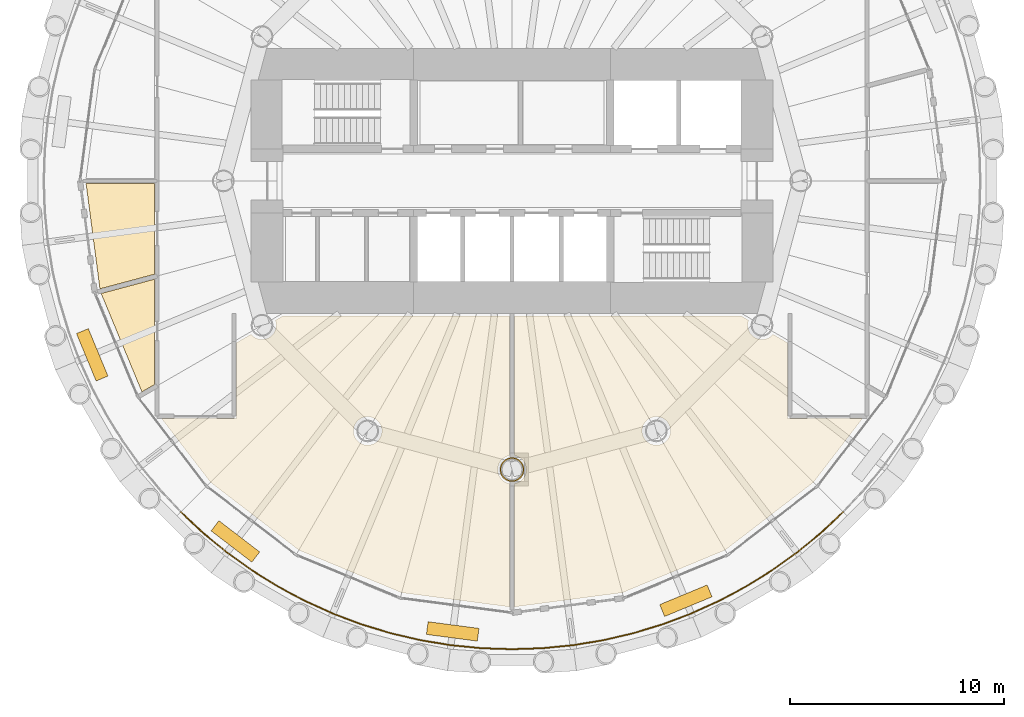
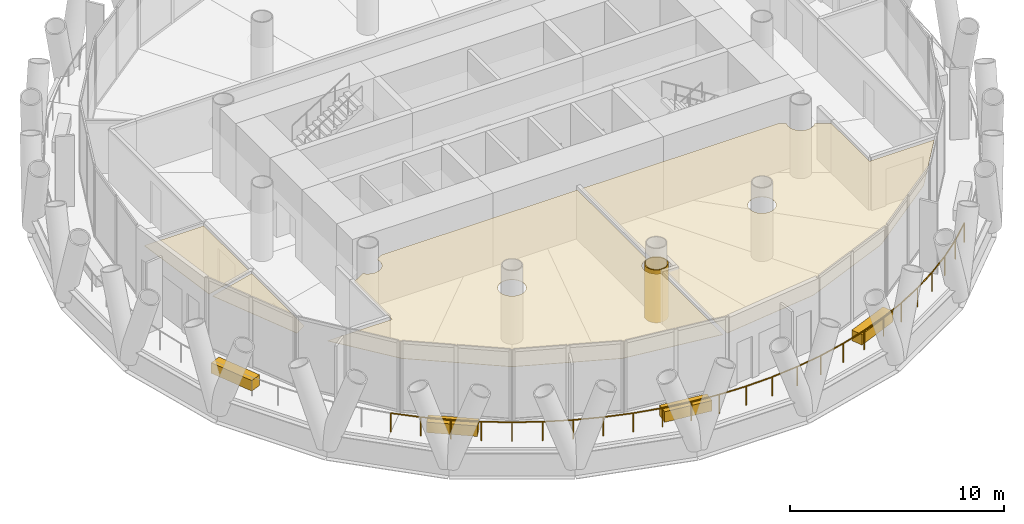
# One storey, part 11 of 13: 9 coverings, 1 railing.
"""IFC4 building model written with IfcOpenShell, lengths in metres."""

from ifc_helpers import new_model, si_unit, direction, frame, origin, origin_2d, place, context, subcontext, project, spatial, polyline, rectangle, circle, outline, extrude, material, layer, layer_set, type_object, element, save


model = new_model("IFC4")

# Units and contexts
model_context = context("Model", 3, precision=1e-05, world=origin(), true_north=direction((0.0, 1.0)))
body_context = subcontext(model_context, "Body", "Model", "MODEL_VIEW")
ifc_project = project(units=[si_unit("LENGTHUNIT", "METRE"), si_unit("AREAUNIT", "SQUARE_METRE"), si_unit("VOLUMEUNIT", "CUBIC_METRE"), si_unit("PLANEANGLEUNIT", "RADIAN"), si_unit("MASSUNIT", "GRAM", prefix="KILO")], contexts=[model_context])

# Site, building, storey
site_placement = place(None, origin())
site = spatial("IfcSite", under=ifc_project, at=site_placement, CompositionType="ELEMENT")
building_placement = place(site_placement, origin())
building = spatial("IfcBuilding", under=site, at=building_placement, Name="Qaws Media Tower", CompositionType="ELEMENT")
storey_placement = place(building_placement, frame((0.0, 0.0, 219.199951171875)))
storey = spatial("IfcBuildingStorey", under=building, at=storey_placement, Name="L50", CompositionType="ELEMENT", Elevation=219.199951171875)

# Railing
ifc_material_1 = material(Name="Stainless steel and glass guard", Category="steel")
railing_type = type_object("IfcRailingType", Name="Balcony guard 1100", PredefinedType="GUARDRAIL", material=ifc_material_1)
railing_placement = place(storey_placement, frame((44.514404296875, 34.514404296875, 0.0)))
element("IfcRailing", 1, at=railing_placement, inside=storey, type_object=railing_type, Name="GR1 balcony guard L50-3", PredefinedType="GUARDRAIL", context=body_context, shape_type="SweptSolid", body=[
    extrude(circle(Radius=0.02392578125, at=origin_2d()), frame((0.0, 0.0, 1.076171875), z_axis=(0.729813400742, -0.683646399901, 0.0), x_axis=(0.683646399901, 0.729813400742, 0.0)), (0.0, 0.0, 1.0), 1.43310546875),
    extrude(circle(Radius=0.02392578125, at=origin_2d()), frame((1.0458984375, -0.979736328125, 1.076171875), z_axis=(0.773030531197, -0.634368818462, 0.0), x_axis=(0.634368818462, 0.773030531197, 0.0)), (0.0, 0.0, 1.0), 1.43310546875),
    extrude(circle(Radius=0.02392578125, at=origin_2d()), frame((2.15380859375, -1.888916015625, 1.076171875), z_axis=(0.812834605048, -0.582494553482, 0.0), x_axis=(0.582494553482, 0.812834605048, 0.0)), (0.0, 0.0, 1.0), 1.43310546875),
    extrude(circle(Radius=0.02392578125, at=origin_2d()), frame((3.318603515625, -2.7236328125, 1.076171875), z_axis=(0.849192418693, -0.52808355024, 0.0), x_axis=(0.52808355024, 0.849192418693, 0.0)), (0.0, 0.0, 1.0), 1.43310546875),
    extrude(circle(Radius=0.02392578125, at=origin_2d()), frame((4.53564453125, -3.48046875, 1.076171875), z_axis=(0.881932889719, -0.471374986643, 0.0), x_axis=(0.471374986643, 0.881932889719, 0.0)), (0.0, 0.0, 1.0), 1.43310546875),
    extrude(circle(Radius=0.02392578125, at=origin_2d()), frame((5.799560546875, -4.156005859375, 1.076171875), z_axis=(0.910879266188, -0.412672948505, 0.0), x_axis=(0.412672948505, 0.910879266188, 0.0)), (0.0, 0.0, 1.0), 1.432861328125),
    extrude(circle(Radius=0.02392578125, at=origin_2d()), frame((7.104736328125, -4.747314453125, 1.076171875), z_axis=(0.935894423656, -0.352280609414, 0.0), x_axis=(0.352280609414, 0.935894423656, 0.0)), (0.0, 0.0, 1.0), 1.43310546875),
    extrude(circle(Radius=0.02392578125, at=origin_2d()), frame((8.446044921875, -5.252197265625, 1.076171875), z_axis=(0.956935523719, -0.290300539864, 0.0), x_axis=(0.290300539864, 0.956935523719, 0.0)), (0.0, 0.0, 1.0), 1.43310546875),
    extrude(circle(Radius=0.02392578125, at=origin_2d()), frame((9.8173828125, -5.668212890625, 1.076171875), z_axis=(0.973877636185, -0.227073445694, 0.0), x_axis=(0.227073445694, 0.973877636185, 0.0)), (0.0, 0.0, 1.0), 1.43310546875),
    extrude(circle(Radius=0.02392578125, at=origin_2d()), frame((11.213134765625, -5.99365234375, 1.076171875), z_axis=(0.986646014625, -0.162879224656, 0.0), x_axis=(0.162879224656, 0.986646014625, 0.0)), (0.0, 0.0, 1.0), 1.432861328125),
    extrude(circle(Radius=0.02392578125, at=origin_2d()), frame((12.626953125, -6.22705078125, 1.076171875), z_axis=(0.995191151601, -0.097951885, 0.0), x_axis=(0.097951885, 0.995191151601, 0.0)), (0.0, 0.0, 1.0), 1.43310546875),
    extrude(circle(Radius=0.02392578125, at=origin_2d()), frame((14.05322265625, -6.367431640625, 1.076171875), z_axis=(0.99946495338, -0.032707903707, 0.0), x_axis=(0.032707903707, 0.99946495338, 0.0)), (0.0, 0.0, 1.0), 1.43310546875),
    extrude(circle(Radius=0.02392578125, at=origin_2d()), frame((15.485595703125, -6.414306640625, 1.076171875), z_axis=(0.99946495338, 0.032707903707, 0.0), x_axis=(-0.032707903707, 0.99946495338, 0.0)), (0.0, 0.0, 1.0), 1.43310546875),
    extrude(circle(Radius=0.02392578125, at=origin_2d()), frame((16.91796875, -6.367431640625, 1.076171875), z_axis=(0.995191151601, 0.097951885, 0.0), x_axis=(-0.097951885, 0.995191151601, 0.0)), (0.0, 0.0, 1.0), 1.43310546875),
    extrude(circle(Radius=0.02392578125, at=origin_2d()), frame((18.34423828125, -6.22705078125, 1.076171875), z_axis=(0.986646014625, 0.162879224656, 0.0), x_axis=(-0.162879224656, 0.986646014625, 0.0)), (0.0, 0.0, 1.0), 1.432861328125),
    extrude(circle(Radius=0.02392578125, at=origin_2d()), frame((19.758056640625, -5.99365234375, 1.076171875), z_axis=(0.973877636185, 0.227073445694, 0.0), x_axis=(-0.227073445694, 0.973877636185, 0.0)), (0.0, 0.0, 1.0), 1.43310546875),
    extrude(circle(Radius=0.02392578125, at=origin_2d()), frame((21.15380859375, -5.668212890625, 1.076171875), z_axis=(0.956935523719, 0.290300539864, 0.0), x_axis=(-0.290300539864, 0.956935523719, 0.0)), (0.0, 0.0, 1.0), 1.43310546875),
    extrude(circle(Radius=0.02392578125, at=origin_2d()), frame((22.525146484375, -5.252197265625, 1.076171875), z_axis=(0.935894423656, 0.352280609414, 0.0), x_axis=(-0.352280609414, 0.935894423656, 0.0)), (0.0, 0.0, 1.0), 1.43310546875),
    extrude(circle(Radius=0.02392578125, at=origin_2d()), frame((23.866455078125, -4.747314453125, 1.076171875), z_axis=(0.910879266188, 0.412672948505, 0.0), x_axis=(-0.412672948505, 0.910879266188, 0.0)), (0.0, 0.0, 1.0), 1.432861328125),
    extrude(circle(Radius=0.02392578125, at=origin_2d()), frame((25.171630859375, -4.156005859375, 1.076171875), z_axis=(0.881932889719, 0.471374986643, 0.0), x_axis=(-0.471374986643, 0.881932889719, 0.0)), (0.0, 0.0, 1.0), 1.43310546875),
    extrude(circle(Radius=0.02392578125, at=origin_2d()), frame((26.435546875, -3.48046875, 1.076171875), z_axis=(0.849192418693, 0.52808355024, 0.0), x_axis=(-0.52808355024, 0.849192418693, 0.0)), (0.0, 0.0, 1.0), 1.43310546875),
    extrude(circle(Radius=0.02392578125, at=origin_2d()), frame((27.652587890625, -2.7236328125, 1.076171875), z_axis=(0.812834605048, 0.582494553482, 0.0), x_axis=(-0.582494553482, 0.812834605048, 0.0)), (0.0, 0.0, 1.0), 1.43310546875),
    extrude(circle(Radius=0.02392578125, at=origin_2d()), frame((28.8173828125, -1.888916015625, 1.076171875), z_axis=(0.773030531197, 0.634368818462, 0.0), x_axis=(-0.634368818462, 0.773030531197, 0.0)), (0.0, 0.0, 1.0), 1.43310546875),
    extrude(circle(Radius=0.02392578125, at=origin_2d()), frame((29.92529296875, -0.979736328125, 1.076171875), z_axis=(0.729813400742, 0.683646399901, 0.0), x_axis=(-0.683646399901, 0.729813400742, 0.0)), (0.0, 0.0, 1.0), 1.43310546875),
    extrude(circle(Radius=0.02099609375, at=origin_2d()), origin(), (0.0, 0.0, 1.0), 1.052001953125),
    extrude(circle(Radius=0.02099609375, at=origin_2d()), frame((1.0458984375, -0.979736328125, 0.0)), (0.0, 0.0, 1.0), 1.052001953125),
    extrude(circle(Radius=0.02099609375, at=origin_2d()), frame((2.15380859375, -1.888916015625, 0.0)), (0.0, 0.0, 1.0), 1.052001953125),
    extrude(circle(Radius=0.02099609375, at=origin_2d()), frame((3.318603515625, -2.7236328125, 0.0)), (0.0, 0.0, 1.0), 1.052001953125),
    extrude(circle(Radius=0.02099609375, at=origin_2d()), frame((4.53564453125, -3.48046875, 0.0)), (0.0, 0.0, 1.0), 1.052001953125),
    extrude(circle(Radius=0.02099609375, at=origin_2d()), frame((5.799560546875, -4.156005859375, 0.0)), (0.0, 0.0, 1.0), 1.052001953125),
    extrude(circle(Radius=0.02099609375, at=origin_2d()), frame((7.104736328125, -4.747314453125, 0.0)), (0.0, 0.0, 1.0), 1.052001953125),
    extrude(circle(Radius=0.02099609375, at=origin_2d()), frame((8.446044921875, -5.252197265625, 0.0)), (0.0, 0.0, 1.0), 1.052001953125),
    extrude(circle(Radius=0.02099609375, at=origin_2d()), frame((9.8173828125, -5.668212890625, 0.0)), (0.0, 0.0, 1.0), 1.052001953125),
    extrude(circle(Radius=0.02099609375, at=origin_2d()), frame((11.213134765625, -5.99365234375, 0.0)), (0.0, 0.0, 1.0), 1.052001953125),
    extrude(circle(Radius=0.02099609375, at=origin_2d()), frame((12.626953125, -6.22705078125, 0.0)), (0.0, 0.0, 1.0), 1.052001953125),
    extrude(circle(Radius=0.02099609375, at=origin_2d()), frame((14.05322265625, -6.367431640625, 0.0)), (0.0, 0.0, 1.0), 1.052001953125),
    extrude(circle(Radius=0.02099609375, at=origin_2d()), frame((15.485595703125, -6.414306640625, 0.0)), (0.0, 0.0, 1.0), 1.052001953125),
    extrude(circle(Radius=0.02099609375, at=origin_2d()), frame((16.91796875, -6.367431640625, 0.0)), (0.0, 0.0, 1.0), 1.052001953125),
    extrude(circle(Radius=0.02099609375, at=origin_2d()), frame((18.34423828125, -6.22705078125, 0.0)), (0.0, 0.0, 1.0), 1.052001953125),
    extrude(circle(Radius=0.02099609375, at=origin_2d()), frame((19.758056640625, -5.99365234375, 0.0)), (0.0, 0.0, 1.0), 1.052001953125),
    extrude(circle(Radius=0.02099609375, at=origin_2d()), frame((21.15380859375, -5.668212890625, 0.0)), (0.0, 0.0, 1.0), 1.052001953125),
    extrude(circle(Radius=0.02099609375, at=origin_2d()), frame((22.525146484375, -5.252197265625, 0.0)), (0.0, 0.0, 1.0), 1.052001953125),
    extrude(circle(Radius=0.02099609375, at=origin_2d()), frame((23.866455078125, -4.747314453125, 0.0)), (0.0, 0.0, 1.0), 1.052001953125),
    extrude(circle(Radius=0.02099609375, at=origin_2d()), frame((25.171630859375, -4.156005859375, 0.0)), (0.0, 0.0, 1.0), 1.052001953125),
    extrude(circle(Radius=0.02099609375, at=origin_2d()), frame((26.435546875, -3.48046875, 0.0)), (0.0, 0.0, 1.0), 1.052001953125),
    extrude(circle(Radius=0.02099609375, at=origin_2d()), frame((27.652587890625, -2.7236328125, 0.0)), (0.0, 0.0, 1.0), 1.052001953125),
    extrude(circle(Radius=0.02099609375, at=origin_2d()), frame((28.8173828125, -1.888916015625, 0.0)), (0.0, 0.0, 1.0), 1.052001953125),
    extrude(circle(Radius=0.02099609375, at=origin_2d()), frame((29.92529296875, -0.979736328125, 0.0)), (0.0, 0.0, 1.0), 1.052001953125),
    extrude(circle(Radius=0.02099609375, at=origin_2d()), frame((30.97119140625, 0.0, 0.0)), (0.0, 0.0, 1.0), 1.052001953125),
])

# Coverings
ifc_material_2 = material(Name="Two layers 15 fire-rated gypsum board on steel framing", Category="steel")
ifc_layer_1 = layer(ifc_material_2, 0.050048828125)
ifc_layer_set_1 = layer_set([ifc_layer_1], Name="Column fire casing")
covering_type_1 = type_object("IfcCoveringType", Name="Column fire casing", PredefinedType="CLADDING", material=ifc_layer_set_1)
covering_1_placement = place(storey_placement, origin())
element("IfcCovering", 2, at=covering_1_placement, inside=storey, type_object=covering_type_1, Name="CC1 column casing L50", PredefinedType="CLADDING", context=body_context, shape_type="SweptSolid", body=[
    extrude(outline(polyline([(60.56298828125, 36.5), (60.55810546875, 36.426513671875), (60.543701171875, 36.354248046875), (60.52001953125, 36.284423828125), (60.487548828125, 36.218505859375), (60.44677734375, 36.1572265625), (60.398193359375, 36.101806640625), (60.3427734375, 36.05322265625), (60.281494140625, 36.012451171875), (60.215576171875, 35.97998046875), (60.145751953125, 35.956298828125), (60.073486328125, 35.94189453125), (60.0, 35.93701171875), (59.926513671875, 35.94189453125), (59.854248046875, 35.956298828125), (59.784423828125, 35.97998046875), (59.718505859375, 36.012451171875), (59.6572265625, 36.05322265625), (59.601806640625, 36.101806640625), (59.55322265625, 36.1572265625), (59.512451171875, 36.218505859375), (59.47998046875, 36.284423828125), (59.456298828125, 36.354248046875), (59.44189453125, 36.426513671875), (59.43701171875, 36.5), (59.44189453125, 36.573486328125), (59.456298828125, 36.645751953125), (59.47998046875, 36.715576171875), (59.512451171875, 36.781494140625), (59.55322265625, 36.8427734375), (59.601806640625, 36.898193359375), (59.6572265625, 36.94677734375), (59.718505859375, 36.987548828125), (59.784423828125, 37.02001953125), (59.854248046875, 37.043701171875), (59.926513671875, 37.05810546875), (60.0, 37.06298828125), (60.073486328125, 37.05810546875), (60.145751953125, 37.043701171875), (60.215576171875, 37.02001953125), (60.281494140625, 36.987548828125), (60.3427734375, 36.94677734375), (60.398193359375, 36.898193359375), (60.44677734375, 36.8427734375), (60.487548828125, 36.781494140625), (60.52001953125, 36.715576171875), (60.543701171875, 36.645751953125), (60.55810546875, 36.573486328125), (60.56298828125, 36.5)]), holes=[polyline([(60.510986328125, 36.5), (60.506591796875, 36.433349609375), (60.49365234375, 36.36767578125), (60.47216796875, 36.304443359375), (60.4423828125, 36.244384765625), (60.405517578125, 36.18896484375), (60.361328125, 36.138671875), (60.31103515625, 36.094482421875), (60.255615234375, 36.0576171875), (60.195556640625, 36.02783203125), (60.13232421875, 36.00634765625), (60.066650390625, 35.993408203125), (60.0, 35.989013671875), (59.933349609375, 35.993408203125), (59.86767578125, 36.00634765625), (59.804443359375, 36.02783203125), (59.744384765625, 36.0576171875), (59.68896484375, 36.094482421875), (59.638671875, 36.138671875), (59.594482421875, 36.18896484375), (59.5576171875, 36.244384765625), (59.52783203125, 36.304443359375), (59.50634765625, 36.36767578125), (59.493408203125, 36.433349609375), (59.489013671875, 36.5), (59.493408203125, 36.566650390625), (59.50634765625, 36.63232421875), (59.52783203125, 36.695556640625), (59.5576171875, 36.755615234375), (59.594482421875, 36.81103515625), (59.638671875, 36.861328125), (59.68896484375, 36.905517578125), (59.744384765625, 36.9423828125), (59.804443359375, 36.97216796875), (59.86767578125, 36.99365234375), (59.933349609375, 37.006591796875), (60.0, 37.010986328125), (60.066650390625, 37.006591796875), (60.13232421875, 36.99365234375), (60.195556640625, 36.97216796875), (60.255615234375, 36.9423828125), (60.31103515625, 36.905517578125), (60.361328125, 36.861328125), (60.405517578125, 36.81103515625), (60.4423828125, 36.755615234375), (60.47216796875, 36.695556640625), (60.49365234375, 36.63232421875), (60.506591796875, 36.566650390625), (60.510986328125, 36.5)])]), origin(), (0.0, 0.0, 1.0), 3.011962890625),
])
ifc_material_3 = material(Name="600 x 600 mineral fibre tiles in exposed grid, suspended", Category="mineral fibre")
ifc_layer_2 = layer(ifc_material_3, 0.02001953125)
ifc_layer_set_2 = layer_set([ifc_layer_2], Name="Mineral fibre tile ceiling 20")
covering_type_2 = type_object("IfcCoveringType", Name="Mineral fibre tile ceiling 20", PredefinedType="CEILING", material=ifc_layer_set_2)
covering_2_placement = place(storey_placement, frame((0.0, 0.0, 2.85009765625)))
element("IfcCovering", 3, at=covering_2_placement, inside=storey, type_object=covering_type_2, Name="CL1 ceiling L50-06 Office", PredefinedType="CEILING", context=body_context, shape_type="SweptSolid", body=[
    extrude(outline(polyline([(40.78759765625, 44.735595703125), (43.28759765625, 45.405517578125), (43.28759765625, 40.48095703125), (42.692138671875, 40.13720703125), (40.78759765625, 44.735595703125)])), origin(), (0.0, 0.0, 1.0), 0.02001953125),
])
covering_3_placement = place(storey_placement, frame((0.0, 0.0, 2.85009765625)))
element("IfcCovering", 4, at=covering_3_placement, inside=storey, type_object=covering_type_2, Name="CL1 ceiling L50-07 Tenant office", PredefinedType="CEILING", context=body_context, shape_type="SweptSolid", body=[
    extrude(outline(polyline([(47.112548828125, 38.887451171875), (47.112548828125, 42.429443359375), (47.795654296875, 42.823974609375), (47.836181640625, 42.777587890625), (47.902099609375, 42.719970703125), (47.974609375, 42.67138671875), (48.052978515625, 42.6328125), (48.1357421875, 42.604736328125), (48.221435546875, 42.587646484375), (48.30859375, 42.58203125), (48.395751953125, 42.587646484375), (48.4814453125, 42.604736328125), (48.564208984375, 42.6328125), (48.642578125, 42.67138671875), (48.71533203125, 42.719970703125), (48.781005859375, 42.777587890625), (48.838623046875, 42.84326171875), (48.88720703125, 42.916015625), (48.92578125, 42.994384765625), (48.953857421875, 43.0771484375), (48.970947265625, 43.162841796875), (48.976806640625, 43.25), (48.970947265625, 43.337158203125), (48.953857421875, 43.4228515625), (48.93408203125, 43.481201171875), (49.29150390625, 43.6875), (59.887451171875, 43.6875), (59.887451171875, 37.1572265625), (59.8271484375, 37.145263671875), (59.744384765625, 37.1171875), (59.666015625, 37.07861328125), (59.59326171875, 37.030029296875), (59.527587890625, 36.972412109375), (59.469970703125, 36.90673828125), (59.42138671875, 36.833984375), (59.3828125, 36.755615234375), (59.354736328125, 36.6728515625), (59.337646484375, 36.587158203125), (59.33203125, 36.5), (59.337646484375, 36.412841796875), (59.354736328125, 36.3271484375), (59.3828125, 36.244384765625), (59.42138671875, 36.166015625), (59.469970703125, 36.09326171875), (59.527587890625, 36.027587890625), (59.59326171875, 35.969970703125), (59.666015625, 35.92138671875), (59.744384765625, 35.8828125), (59.8271484375, 35.854736328125), (59.887451171875, 35.8427734375), (59.887451171875, 30.07958984375), (54.84033203125, 30.743896484375), (50.032470703125, 32.735595703125), (45.90380859375, 35.90380859375), (43.614013671875, 38.887451171875), (47.112548828125, 38.887451171875)]), holes=[polyline([(53.895263671875, 38.1357421875), (53.912353515625, 38.221435546875), (53.91796875, 38.30859375), (53.912353515625, 38.395751953125), (53.895263671875, 38.4814453125), (53.8671875, 38.564208984375), (53.82861328125, 38.642578125), (53.780029296875, 38.71533203125), (53.722412109375, 38.781005859375), (53.65673828125, 38.838623046875), (53.583984375, 38.88720703125), (53.505615234375, 38.92578125), (53.4228515625, 38.953857421875), (53.337158203125, 38.970947265625), (53.25, 38.976806640625), (53.162841796875, 38.970947265625), (53.0771484375, 38.953857421875), (52.994384765625, 38.92578125), (52.916015625, 38.88720703125), (52.84326171875, 38.838623046875), (52.777587890625, 38.781005859375), (52.719970703125, 38.71533203125), (52.67138671875, 38.642578125), (52.6328125, 38.564208984375), (52.604736328125, 38.4814453125), (52.587646484375, 38.395751953125), (52.58203125, 38.30859375), (52.587646484375, 38.221435546875), (52.604736328125, 38.1357421875), (52.6328125, 38.052978515625), (52.67138671875, 37.974609375), (52.719970703125, 37.902099609375), (52.777587890625, 37.836181640625), (52.84326171875, 37.77880859375), (52.916015625, 37.730224609375), (52.994384765625, 37.69140625), (53.0771484375, 37.663330078125), (53.162841796875, 37.646484375), (53.25, 37.640625), (53.337158203125, 37.646484375), (53.4228515625, 37.663330078125), (53.505615234375, 37.69140625), (53.583984375, 37.730224609375), (53.65673828125, 37.77880859375), (53.722412109375, 37.836181640625), (53.780029296875, 37.902099609375), (53.82861328125, 37.974609375), (53.8671875, 38.052978515625), (53.895263671875, 38.1357421875)])]), origin(), (0.0, 0.0, 1.0), 0.02001953125),
])
covering_4_placement = place(storey_placement, frame((0.0, 0.0, 2.85009765625)))
element("IfcCovering", 5, at=covering_4_placement, inside=storey, type_object=covering_type_2, Name="CL1 ceiling L50-08 Tenant office", PredefinedType="CEILING", context=body_context, shape_type="SweptSolid", body=[
    extrude(outline(polyline([(72.887451171875, 38.887451171875), (76.385986328125, 38.887451171875), (74.09619140625, 35.90380859375), (69.967529296875, 32.735595703125), (65.15966796875, 30.743896484375), (60.112548828125, 30.07958984375), (60.112548828125, 35.8427734375), (60.1728515625, 35.854736328125), (60.255615234375, 35.8828125), (60.333984375, 35.92138671875), (60.40673828125, 35.969970703125), (60.472412109375, 36.027587890625), (60.530029296875, 36.09326171875), (60.57861328125, 36.166015625), (60.6171875, 36.244384765625), (60.645263671875, 36.3271484375), (60.662353515625, 36.412841796875), (60.66796875, 36.5), (60.662353515625, 36.587158203125), (60.645263671875, 36.6728515625), (60.6171875, 36.755615234375), (60.57861328125, 36.833984375), (60.530029296875, 36.90673828125), (60.472412109375, 36.972412109375), (60.40673828125, 37.030029296875), (60.333984375, 37.07861328125), (60.255615234375, 37.1171875), (60.1728515625, 37.145263671875), (60.112548828125, 37.1572265625), (60.112548828125, 43.6875), (70.70849609375, 43.6875), (71.06591796875, 43.481201171875), (71.046142578125, 43.4228515625), (71.029052734375, 43.337158203125), (71.023193359375, 43.25), (71.029052734375, 43.162841796875), (71.046142578125, 43.0771484375), (71.07421875, 42.994384765625), (71.11279296875, 42.916015625), (71.161376953125, 42.84326171875), (71.218994140625, 42.777587890625), (71.28466796875, 42.719970703125), (71.357421875, 42.67138671875), (71.435791015625, 42.6328125), (71.5185546875, 42.604736328125), (71.604248046875, 42.587646484375), (71.69140625, 42.58203125), (71.778564453125, 42.587646484375), (71.8642578125, 42.604736328125), (71.947021484375, 42.6328125), (72.025390625, 42.67138671875), (72.097900390625, 42.719970703125), (72.163818359375, 42.777587890625), (72.204345703125, 42.823974609375), (72.887451171875, 42.429443359375), (72.887451171875, 38.887451171875)]), holes=[polyline([(67.3671875, 38.052978515625), (67.395263671875, 38.1357421875), (67.412353515625, 38.221435546875), (67.41796875, 38.30859375), (67.412353515625, 38.395751953125), (67.395263671875, 38.4814453125), (67.3671875, 38.564208984375), (67.32861328125, 38.642578125), (67.280029296875, 38.71533203125), (67.222412109375, 38.781005859375), (67.15673828125, 38.838623046875), (67.083984375, 38.88720703125), (67.005615234375, 38.92578125), (66.9228515625, 38.953857421875), (66.837158203125, 38.970947265625), (66.75, 38.976806640625), (66.662841796875, 38.970947265625), (66.5771484375, 38.953857421875), (66.494384765625, 38.92578125), (66.416015625, 38.88720703125), (66.34326171875, 38.838623046875), (66.277587890625, 38.781005859375), (66.219970703125, 38.71533203125), (66.17138671875, 38.642578125), (66.1328125, 38.564208984375), (66.104736328125, 38.4814453125), (66.087646484375, 38.395751953125), (66.08203125, 38.30859375), (66.087646484375, 38.221435546875), (66.104736328125, 38.1357421875), (66.1328125, 38.052978515625), (66.17138671875, 37.974609375), (66.219970703125, 37.902099609375), (66.277587890625, 37.836181640625), (66.34326171875, 37.77880859375), (66.416015625, 37.730224609375), (66.494384765625, 37.69140625), (66.5771484375, 37.663330078125), (66.662841796875, 37.646484375), (66.75, 37.640625), (66.837158203125, 37.646484375), (66.9228515625, 37.663330078125), (67.005615234375, 37.69140625), (67.083984375, 37.730224609375), (67.15673828125, 37.77880859375), (67.222412109375, 37.836181640625), (67.280029296875, 37.902099609375), (67.32861328125, 37.974609375), (67.3671875, 38.052978515625)])]), origin(), (0.0, 0.0, 1.0), 0.02001953125),
])
ifc_material_4 = material(Name="Precast concrete planter with trailing planting", Category="concrete")
ifc_layer_3 = layer(ifc_material_4, 0.60009765625)
ifc_layer_set_3 = layer_set([ifc_layer_3], Name="Planter 2400x600")
covering_type_3 = type_object("IfcCoveringType", Name="Planter 2400x600", PredefinedType="USERDEFINED", material=ifc_layer_set_3)
for number, where, z_axis, x_axis, name in (
    (6, (40.36767578125, 41.867919921875, 0.0), (0.0, 0.0, 1.0), (0.382683432365, -0.923879532511, 0.0), "PL1 balcony planter L50-07"),
    (7, (47.063720703125, 33.141357421875, 0.0), (0.0, 0.0, 1.0), (0.793353340291, -0.608761429009, 0.0), "PL1 balcony planter L50-08"),
    (8, (57.226318359375, 28.931884765625, 0.0), (0.0, 0.0, 1.0), (0.991444861374, -0.13052619222, 0.0), "PL1 balcony planter L50-09"),
    (9, (68.132080078125, 30.36767578125, 0.0), (0.0, 0.0, 1.0), (0.923879532511, 0.382683432365, 0.0), "PL1 balcony planter L50-10"),
):
    element("IfcCovering", number, at=place(storey_placement, frame(where, z_axis=z_axis, x_axis=x_axis)), inside=storey, type_object=covering_type_3, Name=name, ObjectType="PLANTER", PredefinedType="USERDEFINED", context=body_context, shape_type="SweptSolid", body=[
        extrude(rectangle(XDim=2.39990234375, YDim=0.60009765625, at=origin_2d()), origin(), (0.0, 0.0, 1.0), 0.60009765625),
    ])
ifc_material_5 = material(Name="Two layers 12.5 moisture-resistant plasterboard on suspended metal furring", Category="gypsum")
ifc_layer_4 = layer(ifc_material_5, 0.02490234375)
ifc_layer_set_4 = layer_set([ifc_layer_4], Name="Plasterboard ceiling 25")
covering_type_4 = type_object("IfcCoveringType", Name="Plasterboard ceiling 25", PredefinedType="CEILING", material=ifc_layer_set_4)
covering_5_placement = place(storey_placement, frame((0.0, 0.0, 2.85009765625)))
element("IfcCovering", 10, at=covering_5_placement, inside=storey, type_object=covering_type_4, Name="CL2 ceiling L50-05 Tenant reception", PredefinedType="CEILING", context=body_context, shape_type="SweptSolid", body=[
    extrude(outline(polyline([(40.07958984375, 49.887451171875), (43.28759765625, 49.887451171875), (43.28759765625, 45.638427734375), (40.729248046875, 44.952880859375), (40.07958984375, 49.887451171875)])), origin(), (0.0, 0.0, 1.0), 0.02490234375),
])

save(model, "model.ifc")
